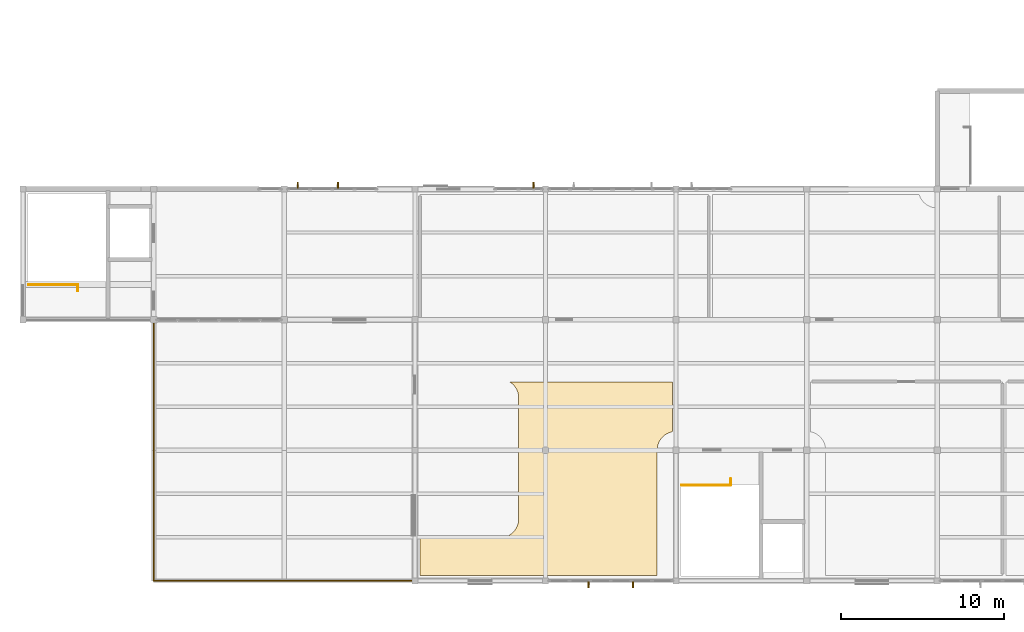
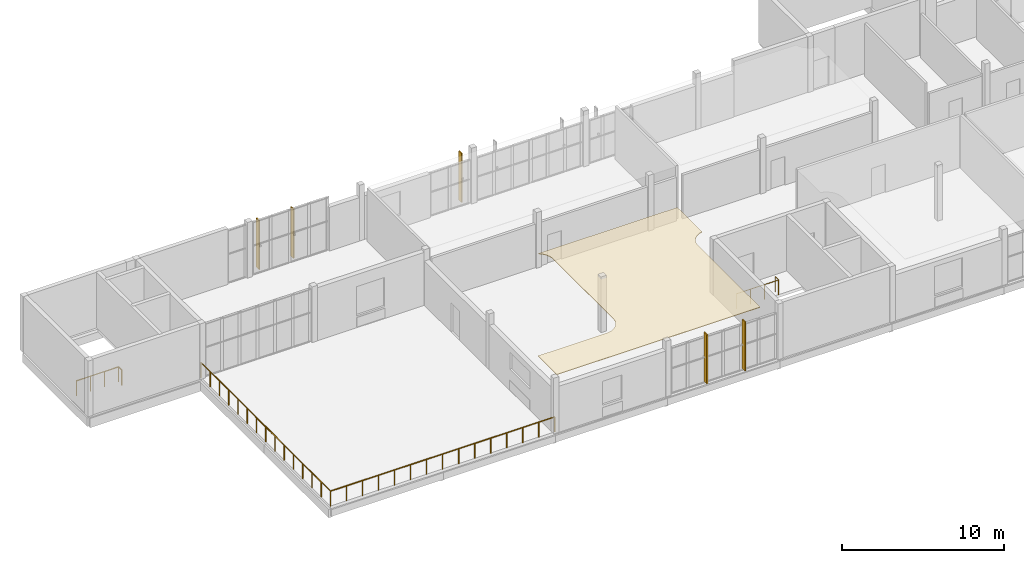
# One storey, part 13 of 15: 5 shading devices, 3 railings, 1 covering.
"""IFC4 building model written with IfcOpenShell, lengths in metres."""

from ifc_helpers import new_model, si_unit, direction, frame, origin, origin_2d, place, context, subcontext, project, spatial, polyline, rectangle, circle, outline, extrude, material, layer, layer_set, type_object, element, save


model = new_model("IFC4")

# Units and contexts
model_context = context("Model", 3, precision=1e-05, world=origin(), true_north=direction((0.0, 1.0)))
body_context = subcontext(model_context, "Body", "Model", "MODEL_VIEW")
ifc_project = project(units=[si_unit("LENGTHUNIT", "METRE"), si_unit("AREAUNIT", "SQUARE_METRE"), si_unit("VOLUMEUNIT", "CUBIC_METRE"), si_unit("PLANEANGLEUNIT", "RADIAN"), si_unit("MASSUNIT", "GRAM", prefix="KILO")], contexts=[model_context])

# Site, building, storey
site_placement = place(None, origin())
site = spatial("IfcSite", under=ifc_project, at=site_placement, CompositionType="ELEMENT")
building_placement = place(site_placement, origin())
building = spatial("IfcBuilding", under=site, at=building_placement, Name="Solvane Community Centre", CompositionType="ELEMENT")
storey_placement = place(building_placement, frame((0.0, 0.0, 18.0)))
storey = spatial("IfcBuildingStorey", under=building, at=storey_placement, Name="L04", CompositionType="ELEMENT", Elevation=18.0)

# Covering
ifc_material_1 = material(Name="Acoustic timber slat ceiling", Category="wood")
ifc_layer = layer(ifc_material_1, 0.0400390625)
ifc_layer_set = layer_set([ifc_layer], Name="Acoustic timber slat ceiling")
covering_type = type_object("IfcCoveringType", Name="Acoustic Timber Slat Suspended Ceiling", PredefinedType="CEILING", material=ifc_layer_set)
covering_placement = place(storey_placement, frame((0.0, 0.0, 3.97509765625)))
element("IfcCovering", 1, at=covering_placement, inside=storey, type_object=covering_type, Name="Acoustic Ceiling L04-02", PredefinedType="CEILING", context=body_context, shape_type="SweptSolid", body=[
    extrude(outline(polyline([(99.780029296875, 18.179931640625), (99.780029296875, 15.1376953125), (99.725830078125, 15.126953125), (99.710693359375, 15.123046875), (99.61669921875, 15.0947265625), (99.601806640625, 15.08935546875), (99.51123046875, 15.0517578125), (99.4970703125, 15.045166015625), (99.410400390625, 14.998779296875), (99.39697265625, 14.99072265625), (99.3154296875, 14.936279296875), (99.302734375, 14.927001953125), (99.226806640625, 14.864501953125), (99.21533203125, 14.85400390625), (99.14599609375, 14.78466796875), (99.135498046875, 14.773193359375), (99.072998046875, 14.697265625), (99.063720703125, 14.6845703125), (99.00927734375, 14.60302734375), (99.001220703125, 14.589599609375), (98.954833984375, 14.5029296875), (98.9482421875, 14.48876953125), (98.91064453125, 14.398193359375), (98.9052734375, 14.38330078125), (98.876953125, 14.289306640625), (98.873046875, 14.274169921875), (98.85400390625, 14.177978515625), (98.8515625, 14.162353515625), (98.842041015625, 14.064697265625), (98.84130859375, 14.049072265625), (98.840087890625, 14.0), (98.840087890625, 6.320068359375), (84.320068359375, 6.320068359375), (84.320068359375, 8.6435546875), (84.335205078125, 8.64208984375), (84.350830078125, 8.64111328125), (84.39990234375, 8.639892578125), (89.199951171875, 8.639892578125), (89.2490234375, 8.64111328125), (89.264892578125, 8.64208984375), (89.3623046875, 8.651611328125), (89.3779296875, 8.65380859375), (89.47412109375, 8.673095703125), (89.489501953125, 8.677001953125), (89.583251953125, 8.705322265625), (89.59814453125, 8.710693359375), (89.688720703125, 8.748291015625), (89.702880859375, 8.7548828125), (89.78955078125, 8.80126953125), (89.802978515625, 8.80908203125), (89.884521484375, 8.86376953125), (89.897216796875, 8.873046875), (89.97314453125, 8.935302734375), (89.984619140625, 8.94580078125), (90.05419921875, 9.015380859375), (90.064697265625, 9.02685546875), (90.126953125, 9.102783203125), (90.13623046875, 9.115478515625), (90.19091796875, 9.197021484375), (90.19873046875, 9.21044921875), (90.2451171875, 9.297119140625), (90.251708984375, 9.311279296875), (90.289306640625, 9.40185546875), (90.294677734375, 9.416748046875), (90.322998046875, 9.510498046875), (90.326904296875, 9.52587890625), (90.34619140625, 9.6220703125), (90.348388671875, 9.6376953125), (90.35791015625, 9.735107421875), (90.35888671875, 9.7509765625), (90.360107421875, 9.800048828125), (90.360107421875, 17.199951171875), (90.35888671875, 17.2490234375), (90.35791015625, 17.264892578125), (90.348388671875, 17.3623046875), (90.34619140625, 17.3779296875), (90.326904296875, 17.47412109375), (90.322998046875, 17.489501953125), (90.294677734375, 17.583251953125), (90.289306640625, 17.59814453125), (90.251708984375, 17.688720703125), (90.2451171875, 17.702880859375), (90.19873046875, 17.78955078125), (90.19091796875, 17.802978515625), (90.13623046875, 17.884521484375), (90.126953125, 17.897216796875), (90.064697265625, 17.97314453125), (90.05419921875, 17.984619140625), (89.984619140625, 18.05419921875), (89.97314453125, 18.064697265625), (89.897216796875, 18.126953125), (89.884521484375, 18.13623046875), (89.819091796875, 18.179931640625), (99.780029296875, 18.179931640625)])), origin(), (0.0, 0.0, 1.0), 0.039794921875),
])

# Shading devices
ifc_material_2 = material(Name="Anodised bronze aluminium AW-6063 T6", Category="aluminium")
shading_device_type = type_object("IfcShadingDeviceType", Name="Art Deco Bronze Solar Fin 80x360", PredefinedType="USERDEFINED", material=ifc_material_2)
shading_device_1_placement = place(storey_placement, frame((97.360107421875, 5.760009765625, 0.14990234375), z_axis=(0.0, 0.0, 1.0), x_axis=(-1.0, 0.0, 0.0)))
element("IfcShadingDevice", 2, at=shading_device_1_placement, inside=storey, type_object=shading_device_type, Name="Solar Brise-Soleil Fin 125", ObjectType="Solar Brise-Soleil Fin 125", PredefinedType="USERDEFINED", context=body_context, shape_type="SweptSolid", body=[
    extrude(rectangle(XDim=0.080078125, YDim=0.360107421875, at=origin_2d()), origin(), (0.0, 0.0, 1.0), 3.699951171875),
])
shading_device_2_placement = place(storey_placement, frame((94.639892578125, 5.760009765625, 0.14990234375), z_axis=(0.0, 0.0, 1.0), x_axis=(-1.0, 0.0, 0.0)))
element("IfcShadingDevice", 3, at=shading_device_2_placement, inside=storey, type_object=shading_device_type, Name="Solar Brise-Soleil Fin 126", ObjectType="Solar Brise-Soleil Fin 126", PredefinedType="USERDEFINED", context=body_context, shape_type="SweptSolid", body=[
    extrude(rectangle(XDim=0.080078125, YDim=0.360107421875, at=origin_2d()), origin(), (0.0, 0.0, 1.0), 3.699951171875),
])
shading_device_3_placement = place(storey_placement, frame((76.82763671875, 30.239990234375, 0.14990234375), z_axis=(0.0, 0.0, 1.0), x_axis=(1.0, 0.0, 0.0)))
element("IfcShadingDevice", 4, at=shading_device_3_placement, inside=storey, type_object=shading_device_type, Name="Solar Brise-Soleil Fin 127", ObjectType="Solar Brise-Soleil Fin 127", PredefinedType="USERDEFINED", context=body_context, shape_type="SweptSolid", body=[
    extrude(rectangle(XDim=0.080078125, YDim=0.360107421875, at=origin_2d()), origin(), (0.0, 0.0, 1.0), 3.699951171875),
])
shading_device_4_placement = place(storey_placement, frame((79.283203125, 30.239990234375, 0.14990234375), z_axis=(0.0, 0.0, 1.0), x_axis=(1.0, 0.0, 0.0)))
element("IfcShadingDevice", 5, at=shading_device_4_placement, inside=storey, type_object=shading_device_type, Name="Solar Brise-Soleil Fin 128", ObjectType="Solar Brise-Soleil Fin 128", PredefinedType="USERDEFINED", context=body_context, shape_type="SweptSolid", body=[
    extrude(rectangle(XDim=0.080078125, YDim=0.360107421875, at=origin_2d()), origin(), (0.0, 0.0, 1.0), 3.699951171875),
])
shading_device_5_placement = place(storey_placement, frame((91.272216796875, 30.239990234375, 0.14990234375), z_axis=(0.0, 0.0, 1.0), x_axis=(1.0, 0.0, 0.0)))
element("IfcShadingDevice", 6, at=shading_device_5_placement, inside=storey, type_object=shading_device_type, Name="Solar Brise-Soleil Fin 129", ObjectType="Solar Brise-Soleil Fin 129", PredefinedType="USERDEFINED", context=body_context, shape_type="SweptSolid", body=[
    extrude(rectangle(XDim=0.080078125, YDim=0.360107421875, at=origin_2d()), origin(), (0.0, 0.0, 1.0), 3.699951171875),
])

# Railings
railing_type_1 = type_object("IfcRailingType", Name="Interior Gallery & Stair Well Guard 1150mm", PredefinedType="BALUSTRADE", material=ifc_material_2)
railing_1_placement = place(storey_placement, frame((60.340087890625, 24.139892578125, 0.0)))
element("IfcRailing", 7, at=railing_1_placement, inside=storey, type_object=railing_type_1, Name="Railing GR-L04-019", PredefinedType="BALUSTRADE", context=body_context, shape_type="SweptSolid", body=[
    extrude(circle(Radius=0.02392578125, at=origin_2d()), frame((0.0, 0.0, 1.1259765625), z_axis=(1.0, 0.0, 0.0), x_axis=(0.0, 1.0, 0.0)), (0.0, 0.0, 1.0), 3.010009765625),
    extrude(circle(Radius=0.02392578125, at=origin_2d()), frame((3.010009765625, 0.0, 1.1259765625), z_axis=(0.0, -1.0, 0.0), x_axis=(1.0, 0.0, 0.0)), (0.0, 0.0, 1.0), 0.389892578125),
    extrude(circle(Radius=0.02099609375, at=origin_2d()), origin(), (0.0, 0.0, 1.0), 1.101806640625),
    extrude(circle(Radius=0.02099609375, at=origin_2d()), frame((1.00341796875, 0.0, 0.0)), (0.0, 0.0, 1.0), 1.101806640625),
    extrude(circle(Radius=0.02099609375, at=origin_2d()), frame((2.006591796875, 0.0, 0.0)), (0.0, 0.0, 1.0), 1.101806640625),
    extrude(circle(Radius=0.02099609375, at=origin_2d()), frame((3.010009765625, 0.0, 0.0)), (0.0, 0.0, 1.0), 1.101806640625),
    extrude(circle(Radius=0.02099609375, at=origin_2d()), frame((3.010009765625, -0.389892578125, 0.0)), (0.0, 0.0, 1.0), 1.101806640625),
])
railing_2_placement = place(storey_placement, frame((100.340087890625, 11.860107421875, 0.0)))
element("IfcRailing", 8, at=railing_2_placement, inside=storey, type_object=railing_type_1, Name="Railing GR-L04-038", PredefinedType="BALUSTRADE", context=body_context, shape_type="SweptSolid", body=[
    extrude(circle(Radius=0.02392578125, at=origin_2d()), frame((0.0, 0.0, 1.1259765625), z_axis=(1.0, 0.0, 0.0), x_axis=(0.0, 1.0, 0.0)), (0.0, 0.0, 1.0), 3.010009765625),
    extrude(circle(Radius=0.02392578125, at=origin_2d()), frame((3.010009765625, 0.0, 1.1259765625), z_axis=(0.0, 1.0, 0.0), x_axis=(-1.0, 0.0, 0.0)), (0.0, 0.0, 1.0), 0.389892578125),
    extrude(circle(Radius=0.02099609375, at=origin_2d()), origin(), (0.0, 0.0, 1.0), 1.101806640625),
    extrude(circle(Radius=0.02099609375, at=origin_2d()), frame((1.00341796875, 0.0, 0.0)), (0.0, 0.0, 1.0), 1.101806640625),
    extrude(circle(Radius=0.02099609375, at=origin_2d()), frame((2.006591796875, 0.0, 0.0)), (0.0, 0.0, 1.0), 1.101806640625),
    extrude(circle(Radius=0.02099609375, at=origin_2d()), frame((3.010009765625, 0.0, 0.0)), (0.0, 0.0, 1.0), 1.101806640625),
    extrude(circle(Radius=0.02099609375, at=origin_2d()), frame((3.010009765625, 0.389892578125, 0.0)), (0.0, 0.0, 1.0), 1.101806640625),
])
railing_type_2 = type_object("IfcRailingType", Name="Terrace Art Deco Guard Balustrade 1150mm", PredefinedType="BALUSTRADE", material=ifc_material_2)
railing_3_placement = place(storey_placement, frame((84.0, 6.0, 0.0)))
element("IfcRailing", 9, at=railing_3_placement, inside=storey, type_object=railing_type_2, Name="Terrace Guard GRD-TER-007", PredefinedType="BALUSTRADE", context=body_context, shape_type="SweptSolid", body=[
    extrude(circle(Radius=0.02392578125, at=origin_2d()), frame((0.0, 0.0, 1.1259765625), z_axis=(-1.0, 0.0, 0.0), x_axis=(0.0, -1.0, 0.0)), (0.0, 0.0, 1.0), 16.0),
    extrude(circle(Radius=0.02392578125, at=origin_2d()), frame((-16.0, 0.0, 1.1259765625), z_axis=(0.0, 1.0, 0.0), x_axis=(-1.0, 0.0, 0.0)), (0.0, 0.0, 1.0), 16.0),
    extrude(circle(Radius=0.02099609375, at=origin_2d()), origin(), (0.0, 0.0, 1.0), 1.101806640625),
    extrude(circle(Radius=0.02099609375, at=origin_2d()), frame((-1.142822265625, 0.0, 0.0)), (0.0, 0.0, 1.0), 1.101806640625),
    extrude(circle(Radius=0.02099609375, at=origin_2d()), frame((-2.28564453125, 0.0, 0.0)), (0.0, 0.0, 1.0), 1.101806640625),
    extrude(circle(Radius=0.02099609375, at=origin_2d()), frame((-3.428466796875, 0.0, 0.0)), (0.0, 0.0, 1.0), 1.101806640625),
    extrude(circle(Radius=0.02099609375, at=origin_2d()), frame((-4.571533203125, 0.0, 0.0)), (0.0, 0.0, 1.0), 1.101806640625),
    extrude(circle(Radius=0.02099609375, at=origin_2d()), frame((-5.71435546875, 0.0, 0.0)), (0.0, 0.0, 1.0), 1.101806640625),
    extrude(circle(Radius=0.02099609375, at=origin_2d()), frame((-6.857177734375, 0.0, 0.0)), (0.0, 0.0, 1.0), 1.101806640625),
    extrude(circle(Radius=0.02099609375, at=origin_2d()), frame((-8.0, 0.0, 0.0)), (0.0, 0.0, 1.0), 1.101806640625),
    extrude(circle(Radius=0.02099609375, at=origin_2d()), frame((-9.142822265625, 0.0, 0.0)), (0.0, 0.0, 1.0), 1.101806640625),
    extrude(circle(Radius=0.02099609375, at=origin_2d()), frame((-10.28564453125, 0.0, 0.0)), (0.0, 0.0, 1.0), 1.101806640625),
    extrude(circle(Radius=0.02099609375, at=origin_2d()), frame((-11.428466796875, 0.0, 0.0)), (0.0, 0.0, 1.0), 1.101806640625),
    extrude(circle(Radius=0.02099609375, at=origin_2d()), frame((-12.571533203125, 0.0, 0.0)), (0.0, 0.0, 1.0), 1.101806640625),
    extrude(circle(Radius=0.02099609375, at=origin_2d()), frame((-13.71435546875, 0.0, 0.0)), (0.0, 0.0, 1.0), 1.101806640625),
    extrude(circle(Radius=0.02099609375, at=origin_2d()), frame((-14.857177734375, 0.0, 0.0)), (0.0, 0.0, 1.0), 1.101806640625),
    extrude(circle(Radius=0.02099609375, at=origin_2d()), frame((-16.0, 0.0, 0.0)), (0.0, 0.0, 1.0), 1.101806640625),
    extrude(circle(Radius=0.02099609375, at=origin_2d()), frame((-16.0, 1.142822265625, 0.0)), (0.0, 0.0, 1.0), 1.101806640625),
    extrude(circle(Radius=0.02099609375, at=origin_2d()), frame((-16.0, 2.28564453125, 0.0)), (0.0, 0.0, 1.0), 1.101806640625),
    extrude(circle(Radius=0.02099609375, at=origin_2d()), frame((-16.0, 3.428466796875, 0.0)), (0.0, 0.0, 1.0), 1.101806640625),
    extrude(circle(Radius=0.02099609375, at=origin_2d()), frame((-16.0, 4.571533203125, 0.0)), (0.0, 0.0, 1.0), 1.101806640625),
    extrude(circle(Radius=0.02099609375, at=origin_2d()), frame((-16.0, 5.71435546875, 0.0)), (0.0, 0.0, 1.0), 1.101806640625),
    extrude(circle(Radius=0.02099609375, at=origin_2d()), frame((-16.0, 6.857177734375, 0.0)), (0.0, 0.0, 1.0), 1.101806640625),
    extrude(circle(Radius=0.02099609375, at=origin_2d()), frame((-16.0, 8.0, 0.0)), (0.0, 0.0, 1.0), 1.101806640625),
    extrude(circle(Radius=0.02099609375, at=origin_2d()), frame((-16.0, 9.142822265625, 0.0)), (0.0, 0.0, 1.0), 1.101806640625),
    extrude(circle(Radius=0.02099609375, at=origin_2d()), frame((-16.0, 10.28564453125, 0.0)), (0.0, 0.0, 1.0), 1.101806640625),
    extrude(circle(Radius=0.02099609375, at=origin_2d()), frame((-16.0, 11.428466796875, 0.0)), (0.0, 0.0, 1.0), 1.101806640625),
    extrude(circle(Radius=0.02099609375, at=origin_2d()), frame((-16.0, 12.571533203125, 0.0)), (0.0, 0.0, 1.0), 1.101806640625),
    extrude(circle(Radius=0.02099609375, at=origin_2d()), frame((-16.0, 13.71435546875, 0.0)), (0.0, 0.0, 1.0), 1.101806640625),
    extrude(circle(Radius=0.02099609375, at=origin_2d()), frame((-16.0, 14.857177734375, 0.0)), (0.0, 0.0, 1.0), 1.101806640625),
    extrude(circle(Radius=0.02099609375, at=origin_2d()), frame((-16.0, 16.0, 0.0)), (0.0, 0.0, 1.0), 1.101806640625),
])

save(model, "model.ifc")
